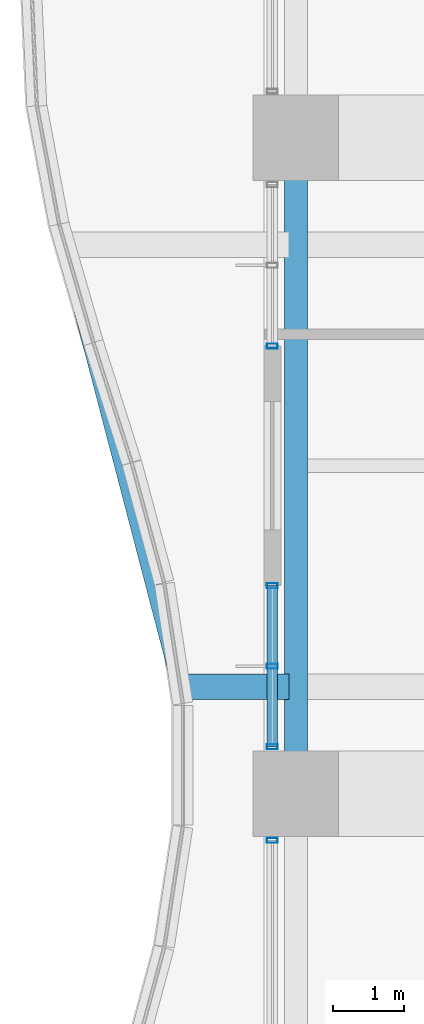
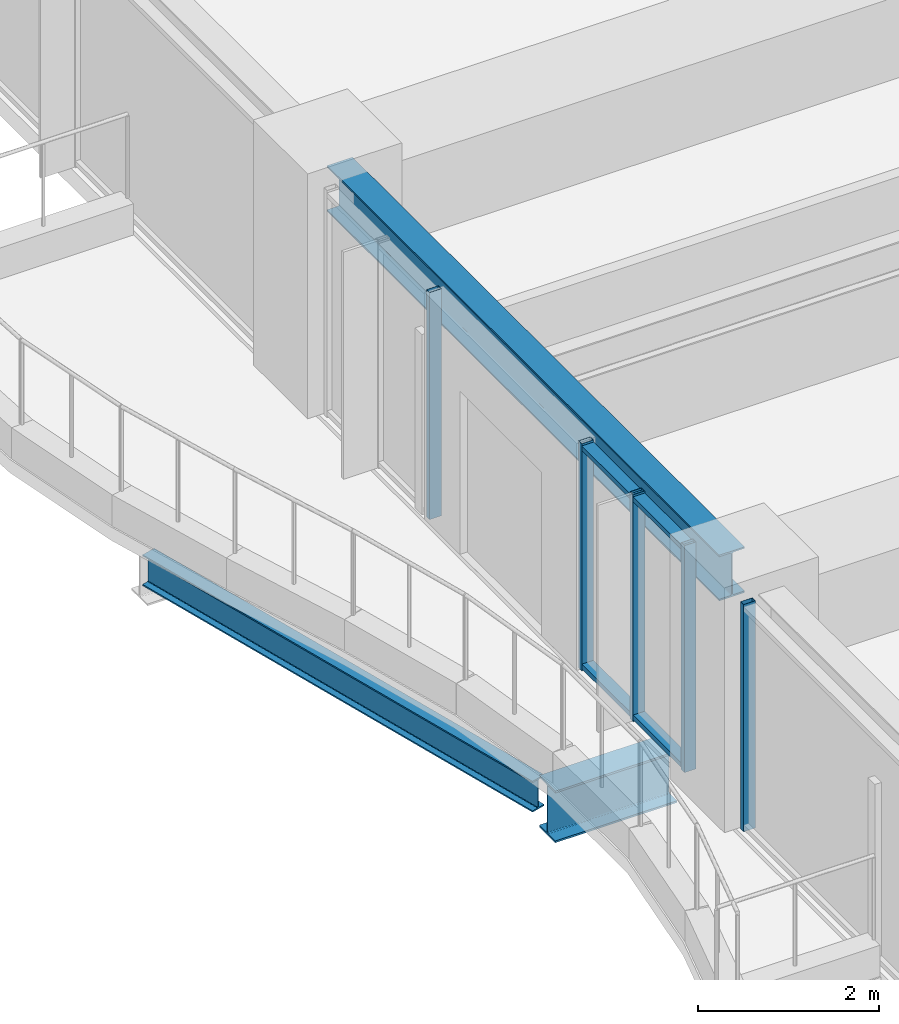
# One storey, part 7 of 39: 7 members, 3 beams, 3 elements without a shape of their own.
"""IFC4 building model written with IfcOpenShell, lengths in metres."""

from ifc_helpers import new_model, si_unit, direction, frame, origin, origin_2d, place, context, subcontext, project, spatial, hollow_rectangle, i_section, extrude, material, material_profile, profile_set, type_object, element, aggregate, save


model = new_model("IFC4")

# Units and contexts
model_context = context("Model", 3, precision=1e-05, world=origin(), true_north=direction((0.0, 1.0)))
body_context = subcontext(model_context, "Body", "Model", "MODEL_VIEW")
ifc_project = project(units=[si_unit("LENGTHUNIT", "METRE"), si_unit("AREAUNIT", "SQUARE_METRE"), si_unit("VOLUMEUNIT", "CUBIC_METRE"), si_unit("PLANEANGLEUNIT", "RADIAN"), si_unit("MASSUNIT", "GRAM", prefix="KILO")], contexts=[model_context])

# Site, building, storey
site_placement = place(None, origin())
site = spatial("IfcSite", under=ifc_project, at=site_placement, CompositionType="ELEMENT")
building_placement = place(site_placement, origin())
building = spatial("IfcBuilding", under=site, at=building_placement, Name="Kolvaren Belvedere", CompositionType="ELEMENT")
storey_placement = place(building_placement, frame((0.0, 0.0, 33.699951171875)))
storey = spatial("IfcBuildingStorey", under=building, at=storey_placement, Name="L09", CompositionType="ELEMENT", Elevation=33.699951171875)

# Beams
ifc_material_1 = material(Name="Structural steel ASTM A992 Grade 50", Category="steel")
ifc_material_profile_1 = material_profile(ifc_material_1, i_section(OverallWidth=0.35498046875, OverallDepth=0.696044921875, WebThickness=0.015380859375, FlangeThickness=0.02490234375, FilletRadius=0.02197265625, at=origin_2d()), Name="W27X146")
ifc_profile_set_1 = profile_set([ifc_material_profile_1], Name="Structural steel ASTM A992 Grade 50")
beam_type_1 = type_object("IfcBeamType", Name="BM-CANT-BAL", PredefinedType="BEAM", material=ifc_profile_set_1)
beam_1_placement = place(storey_placement, frame((-21.64501953125, -3.10009765625, -0.587890625), z_axis=(-1.0, 0.0, 0.0), x_axis=(0.0, -1.0, 0.0)))
element("IfcBeam", 1, at=beam_1_placement, inside=storey, type_object=beam_type_1, Name="L09 Planted Balcony Cantilever BAL-W-1", PredefinedType="BEAM", context=body_context, shape_type="SweptSolid", body=[
    extrude(i_section(OverallWidth=0.35498046875, OverallDepth=0.696044921875, WebThickness=0.015380859375, FlangeThickness=0.02490234375, FilletRadius=0.02197265625, at=origin_2d()), origin(), (0.0, 0.0, 1.0), 1.549072265625),
])
ifc_material_2 = material(Name="Structural steel ASTM A992 Grade 50", Category="steel")
ifc_material_profile_2 = material_profile(ifc_material_2, i_section(OverallWidth=0.180908203125, OverallDepth=0.4169921875, WebThickness=0.010986328125, FlangeThickness=0.018310546875, FilletRadius=0.013916015625, at=origin_2d()), Name="W16X57")
ifc_profile_set_2 = profile_set([ifc_material_profile_2], Name="Structural steel ASTM A992 Grade 50")
beam_type_2 = type_object("IfcBeamType", Name="BM-EDGE-W16X57", PredefinedType="BEAM", material=ifc_profile_set_2)
beam_2_placement = place(storey_placement, frame((-23.2294921875, -2.964599609375, -0.448486328125), z_axis=(-0.25266515985, 0.9675537799, 0.0), x_axis=(-0.9675537799, -0.25266515985, 0.0)))
element("IfcBeam", 2, at=beam_2_placement, inside=storey, type_object=beam_type_2, Name="L09 Balcony Tip Header Beam BAL-W", PredefinedType="BEAM", context=body_context, shape_type="SweptSolid", body=[
    extrude(i_section(OverallWidth=0.180908203125, OverallDepth=0.4169921875, WebThickness=0.010986328125, FlangeThickness=0.018310546875, FilletRadius=0.013916015625, at=origin_2d()), origin(), (0.0, 0.0, 1.0), 6.1279296875),
])
ifc_material_3 = material(Name="Structural steel ASTM A992 Grade 50", Category="steel")
ifc_material_profile_3 = material_profile(ifc_material_3, i_section(OverallWidth=0.324951171875, OverallDepth=0.615966796875, WebThickness=0.013916015625, FlangeThickness=0.021484375, FilletRadius=0.02001953125, at=origin_2d()), Name="W24X117")
ifc_profile_set_3 = profile_set([ifc_material_profile_3], Name="Structural steel ASTM A992 Grade 50")
beam_type_3 = type_object("IfcBeamType", Name="BM-SPAN-W24X117", PredefinedType="SPANDREL", material=ifc_profile_set_3)
beam_3_placement = place(storey_placement, frame((-21.550048828125, 4.330078125, 2.751953125), z_axis=(0.0, -1.0, 0.0), x_axis=(1.0, 0.0, 0.0)))
element("IfcBeam", 3, at=beam_3_placement, inside=storey, type_object=beam_type_3, Name="L09 Perimeter Spandrel W3-W2", PredefinedType="SPANDREL", context=body_context, shape_type="SweptSolid", body=[
    extrude(i_section(OverallWidth=0.324951171875, OverallDepth=0.615966796875, WebThickness=0.013916015625, FlangeThickness=0.021484375, FilletRadius=0.02001953125, at=origin_2d()), origin(), (0.0, 0.0, 1.0), 8.66015625),
])

# Curtain wall, member
ifc_material_4 = material(Name="Anodised pale-metal aluminium AA 6063-T6", Category="aluminium")
curtain_wall_type = type_object("IfcCurtainWallType", Name="CW-Z1-LOW", PredefinedType="NOTDEFINED", material=ifc_material_4)
curtain_wall_1_placement = place(storey_placement, origin())
curtain_wall_1 = element("IfcCurtainWall", 4, at=curtain_wall_1_placement, inside=storey, type_object=curtain_wall_type, Name="L09 Unitised Curtain Wall FCW-L09-W1-B1", PredefinedType="NOTDEFINED")
ifc_material_5 = material(Name="Anodised pale-metal aluminium AA 6063-T6", Category="aluminium")
ifc_material_profile_4 = material_profile(ifc_material_5, hollow_rectangle(XDim=0.070068359375, YDim=0.14990234375, WallThickness=0.004150390625, at=origin_2d()), Name="ALU-MUL-150X70")
ifc_profile_set_4 = profile_set([ifc_material_profile_4], Name="Anodised pale-metal aluminium AA 6063-T6")
member_type_1 = type_object("IfcMemberType", Name="CW-MUL-150", PredefinedType="MULLION", material=ifc_profile_set_4)
member_1_placement = place(storey_placement, frame((-21.8798828125, -5.2548828125, 0.0), z_axis=(0.0, 0.0, 1.0), x_axis=(0.0, 1.0, 0.0)))
member_1 = element("IfcMember", 5, at=member_1_placement, type_object=member_type_1, Name="FCW-L09-W1-B1 Unitised Mullion 3", PredefinedType="MULLION", context=body_context, shape_type="SweptSolid", body=[
    extrude(hollow_rectangle(XDim=0.070068359375, YDim=0.14990234375, WallThickness=0.004150390625, at=origin_2d()), origin(), (0.0, 0.0, 1.0), 3.06005859375),
])
aggregate(curtain_wall_1, [member_1])

# Curtain wall, members
curtain_wall_2_placement = place(storey_placement, origin())
curtain_wall_2 = element("IfcCurtainWall", 6, at=curtain_wall_2_placement, inside=storey, type_object=curtain_wall_type, Name="L09 Unitised Curtain Wall FCW-L09-W1-B2", PredefinedType="NOTDEFINED")
member_2_placement = place(storey_placement, frame((-21.8798828125, -3.945068359375, 0.0), z_axis=(0.0, 0.0, 1.0), x_axis=(0.0, 1.0, 0.0)))
member_2 = element("IfcMember", 7, at=member_2_placement, type_object=member_type_1, Name="FCW-L09-W1-B2 Unitised Mullion 1", PredefinedType="MULLION", context=body_context, shape_type="SweptSolid", body=[
    extrude(hollow_rectangle(XDim=0.070068359375, YDim=0.14990234375, WallThickness=0.004150390625, at=origin_2d()), origin(), (0.0, 0.0, 1.0), 3.06005859375),
])
member_3_placement = place(storey_placement, frame((-21.8798828125, -2.8125, 0.0), z_axis=(0.0, 0.0, 1.0), x_axis=(0.0, 1.0, 0.0)))
member_3 = element("IfcMember", 8, at=member_3_placement, type_object=member_type_1, Name="FCW-L09-W1-B2 Unitised Mullion 2", PredefinedType="MULLION", context=body_context, shape_type="SweptSolid", body=[
    extrude(hollow_rectangle(XDim=0.070068359375, YDim=0.14990234375, WallThickness=0.004150390625, at=origin_2d()), origin(), (0.0, 0.0, 1.0), 3.06005859375),
])
member_4_placement = place(storey_placement, frame((-21.8798828125, -1.679931640625, 0.0), z_axis=(0.0, 0.0, 1.0), x_axis=(0.0, 1.0, 0.0)))
member_4 = element("IfcMember", 9, at=member_4_placement, type_object=member_type_1, Name="FCW-L09-W1-B2 Unitised Mullion 3", PredefinedType="MULLION", context=body_context, shape_type="SweptSolid", body=[
    extrude(hollow_rectangle(XDim=0.070068359375, YDim=0.14990234375, WallThickness=0.004150390625, at=origin_2d()), origin(), (0.0, 0.0, 1.0), 3.06005859375),
])

# Curtain wall, member
curtain_wall_3_placement = place(storey_placement, origin())
curtain_wall_3 = element("IfcCurtainWall", 10, at=curtain_wall_3_placement, inside=storey, type_object=curtain_wall_type, Name="L09 Unitised Curtain Wall FCW-L09-W2-B1", PredefinedType="NOTDEFINED")
member_5_placement = place(storey_placement, frame((-21.8798828125, 1.679931640625, 0.0), z_axis=(0.0, 0.0, 1.0), x_axis=(0.0, 1.0, 0.0)))
member_5 = element("IfcMember", 11, at=member_5_placement, type_object=member_type_1, Name="FCW-L09-W2-B1 Unitised Mullion 1", PredefinedType="MULLION", context=body_context, shape_type="SweptSolid", body=[
    extrude(hollow_rectangle(XDim=0.070068359375, YDim=0.14990234375, WallThickness=0.004150390625, at=origin_2d()), origin(), (0.0, 0.0, 1.0), 3.06005859375),
])
aggregate(curtain_wall_3, [member_5])

# Member
ifc_material_6 = material(Name="Anodised pale-metal aluminium AA 6063-T6", Category="aluminium")
ifc_material_profile_5 = material_profile(ifc_material_6, hollow_rectangle(XDim=0.06494140625, YDim=0.14990234375, WallThickness=0.00390625, at=origin_2d()), Name="ALU-TRN-150X65")
ifc_profile_set_5 = profile_set([ifc_material_profile_5], Name="Anodised pale-metal aluminium AA 6063-T6")
member_type_2 = type_object("IfcMemberType", Name="CW-TRN-150", PredefinedType="USERDEFINED", material=ifc_profile_set_5)
member_6_placement = place(storey_placement, frame((-21.8798828125, -3.945068359375, 0.06005859375), z_axis=(0.0, 1.0, 0.0), x_axis=(0.0, 0.0, 1.0)))
member_6 = element("IfcMember", 12, at=member_6_placement, type_object=member_type_2, Name="FCW-L09-W1-B2 Sill Transom", ObjectType="TRANSOM", PredefinedType="USERDEFINED", context=body_context, shape_type="SweptSolid", body=[
    extrude(hollow_rectangle(XDim=0.06494140625, YDim=0.14990234375, WallThickness=0.00390625, at=origin_2d()), origin(), (0.0, 0.0, 1.0), 2.26513671875),
])

member_7_placement = place(storey_placement, frame((-21.8798828125, -3.945068359375, 3.0), z_axis=(0.0, 1.0, 0.0), x_axis=(0.0, 0.0, 1.0)))
member_7 = element("IfcMember", 13, at=member_7_placement, type_object=member_type_2, Name="FCW-L09-W1-B2 Head Transom", ObjectType="TRANSOM", PredefinedType="USERDEFINED", context=body_context, shape_type="SweptSolid", body=[
    extrude(hollow_rectangle(XDim=0.06494140625, YDim=0.14990234375, WallThickness=0.00390625, at=origin_2d()), origin(), (0.0, 0.0, 1.0), 2.26513671875),
])

aggregate(curtain_wall_2, [member_2, member_3, member_4, member_6, member_7])

save(model, "model.ifc")
